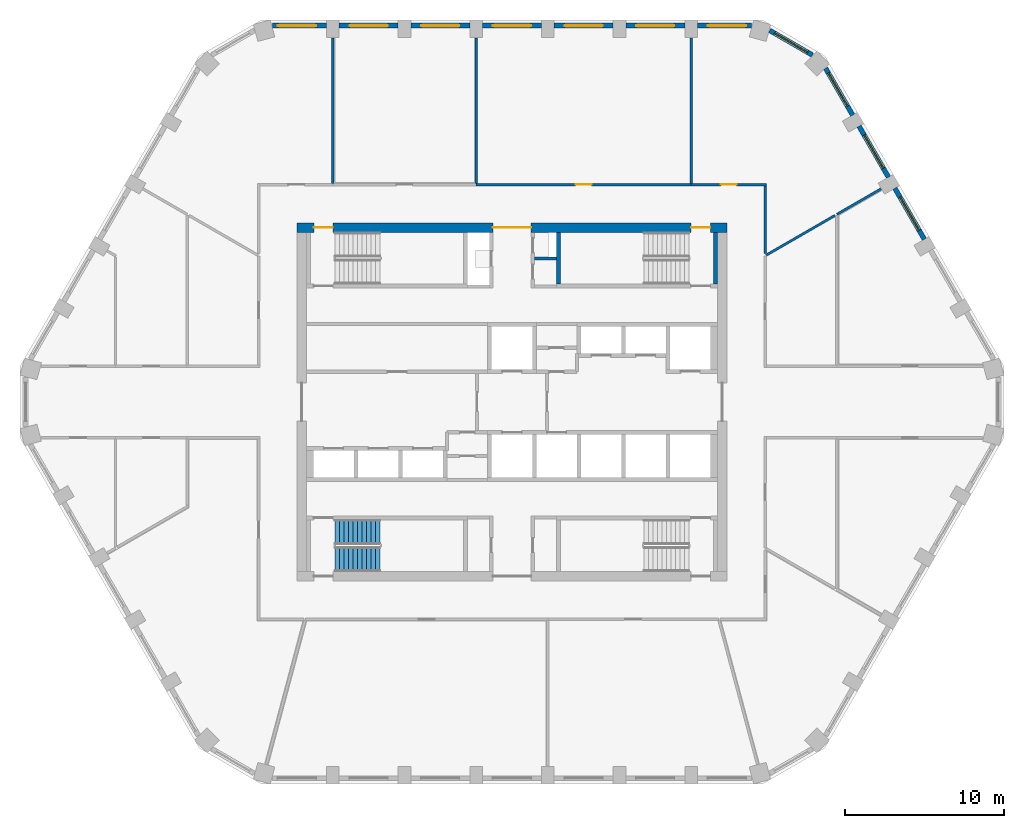
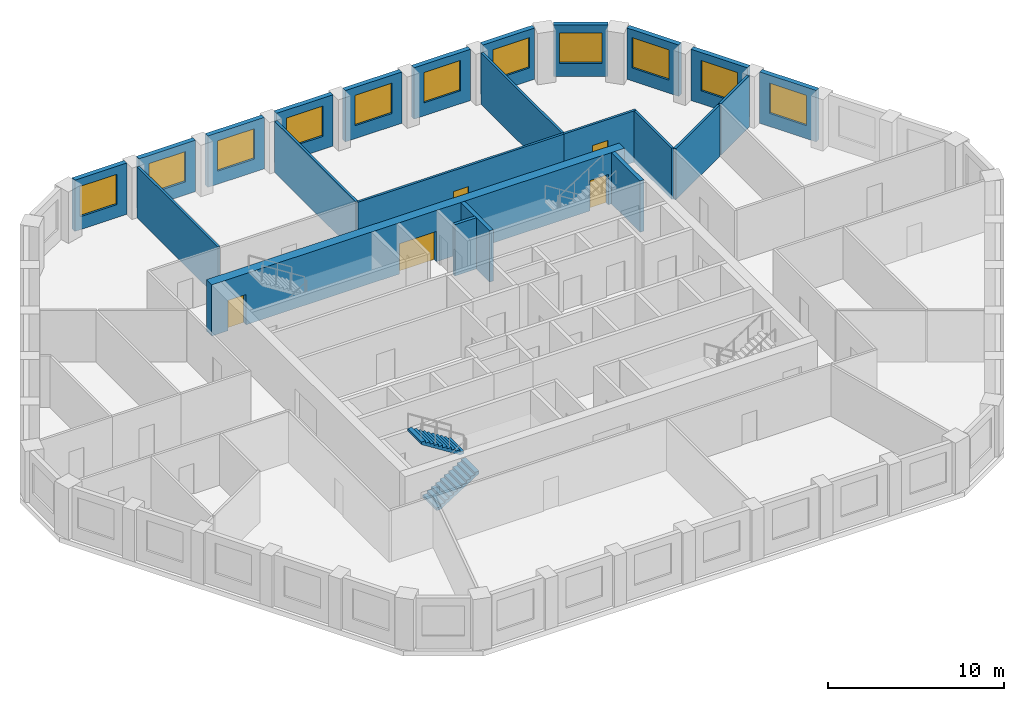
# One storey, part 6 of 11: 23 walls, 11 windows, 5 doors, 2 stair flights, 16 openings, 1 element without a shape of its own.
"""IFC4 building model written with IfcOpenShell, lengths in metres."""

from ifc_helpers import new_model, si_unit, direction, frame, frame_2d, origin, place, context, subcontext, project, spatial, polyline, rectangle, outline, extrude, material, layer, layer_set, type_object, element, fill, aggregate, save


model = new_model("IFC4")

# Units and contexts
model_context = context("Model", 3, precision=1e-05, world=origin(), true_north=direction((0.0, 1.0)))
body_context = subcontext(model_context, "Body", "Model", "MODEL_VIEW")
ifc_project = project(units=[si_unit("LENGTHUNIT", "METRE"), si_unit("AREAUNIT", "SQUARE_METRE"), si_unit("VOLUMEUNIT", "CUBIC_METRE"), si_unit("PLANEANGLEUNIT", "RADIAN"), si_unit("MASSUNIT", "GRAM", prefix="KILO")], contexts=[model_context])

# Site, building, storey
site_placement = place(None, origin())
site = spatial("IfcSite", under=ifc_project, at=site_placement, CompositionType="ELEMENT")
building_placement = place(site_placement, origin())
building = spatial("IfcBuilding", under=site, at=building_placement, Name="Dhurran Vertical Campus", CompositionType="ELEMENT")
storey_placement = place(building_placement, frame((0.0, 0.0, 215.10009765625)))
storey = spatial("IfcBuildingStorey", under=building, at=storey_placement, Name="L53", CompositionType="ELEMENT", Elevation=215.10009765625)

# Wall, opening, window
ifc_material_1 = material(Name="Precast concrete C50/60", Category="concrete")
ifc_layer_1 = layer(ifc_material_1, 0.300048828125)
ifc_layer_set_1 = layer_set([ifc_layer_1], Name="Precast concrete C50/60")
wall_type_1 = type_object("IfcWallType", Name="Precast spandrel wall 300", PredefinedType="SOLIDWALL", material=ifc_layer_set_1)
wall_1_placement = place(storey_placement, frame((25.893798828125, 10.216064453125, 0.0), z_axis=(0.0, 0.0, 1.0), x_axis=(-0.500029062817, 0.866008623709, 0.0)))
wall_1 = element("IfcWall", 1, at=wall_1_placement, inside=storey, type_object=wall_type_1, Name="EW1 L53.16", PredefinedType="SOLIDWALL", context=body_context, shape_type="SweptSolid", body=[
    extrude(rectangle(XDim=3.698974609375, YDim=0.300048828125, at=frame_2d((1.849609375, 0.0))), origin(), (0.0, 0.0, 1.0), 3.5498046875),
])
opening_1_placement = place(wall_1_placement, frame((0.6494140625, 0.0, 0.89990234375)))
opening_1 = element("IfcOpeningElement", 2, at=opening_1_placement, cuts=wall_1, Name="Opening WT1", PredefinedType="OPENING", context=body_context, shape_type="SweptSolid", body=[
    extrude(rectangle(XDim=2.39990234375, YDim=2.10009765625, at=frame_2d((1.199951171875, 1.050048828125))), frame((0.0, 0.159912109375, 0.0), z_axis=(0.0, -1.0, 0.0), x_axis=(1.0, 0.0, 0.0)), (0.0, 0.0, 1.0), 0.320068359375),
])
ifc_material_2 = material(Name="Aluminium frame with solar-control glass", Category="aluminium")
window_type = type_object("IfcWindowType", Name="Punched window 2400 x 2100", PartitioningType="SINGLE_PANEL", PredefinedType="WINDOW", material=ifc_material_2)
window_1_placement = place(opening_1_placement, origin())
window_1 = element("IfcWindow", 3, at=window_1_placement, inside=storey, type_object=window_type, Name="WT1 L53.16", OverallHeight=2.10009765625, OverallWidth=2.39990234375, PartitioningType="SINGLE_PANEL", PredefinedType="WINDOW", context=body_context, shape_type="SweptSolid", body=[
    extrude(rectangle(XDim=2.39990234375, YDim=2.10009765625, at=frame_2d((1.199951171875, 1.050048828125))), frame((0.0, 0.030029296875, 0.0), z_axis=(0.0, -1.0, 0.0), x_axis=(1.0, 0.0, 0.0)), (0.0, 0.0, 1.0), 0.06005859375),
])
fill(opening_1, window_1)

wall_2_placement = place(storey_placement, frame((23.643798828125, 14.11328125, 0.0), z_axis=(0.0, 0.0, 1.0), x_axis=(-0.500029062817, 0.866008623709, 0.0)))
wall_2 = element("IfcWall", 4, at=wall_2_placement, inside=storey, type_object=wall_type_1, Name="EW1 L53.17", PredefinedType="SOLIDWALL", context=body_context, shape_type="SweptSolid", body=[
    extrude(rectangle(XDim=3.698974609375, YDim=0.300048828125, at=frame_2d((1.849609375, 0.0))), origin(), (0.0, 0.0, 1.0), 3.5498046875),
])
opening_2_placement = place(wall_2_placement, frame((0.6494140625, 0.0, 0.89990234375)))
opening_2 = element("IfcOpeningElement", 5, at=opening_2_placement, cuts=wall_2, Name="Opening WT1", PredefinedType="OPENING", context=body_context, shape_type="SweptSolid", body=[
    extrude(rectangle(XDim=2.39990234375, YDim=2.10009765625, at=frame_2d((1.199951171875, 1.050048828125))), frame((0.0, 0.159912109375, 0.0), z_axis=(0.0, -1.0, 0.0), x_axis=(1.0, 0.0, 0.0)), (0.0, 0.0, 1.0), 0.320068359375),
])
window_2_placement = place(opening_2_placement, origin())
window_2 = element("IfcWindow", 6, at=window_2_placement, inside=storey, type_object=window_type, Name="WT1 L53.17", OverallHeight=2.10009765625, OverallWidth=2.39990234375, PartitioningType="SINGLE_PANEL", PredefinedType="WINDOW", context=body_context, shape_type="SweptSolid", body=[
    extrude(rectangle(XDim=2.39990234375, YDim=2.10009765625, at=frame_2d((1.199951171875, 1.050048828125))), frame((0.0, 0.030029296875, 0.0), z_axis=(0.0, -1.0, 0.0), x_axis=(1.0, 0.0, 0.0)), (0.0, 0.0, 1.0), 0.06005859375),
])
fill(opening_2, window_2)

wall_3_placement = place(storey_placement, frame((21.393798828125, 18.01025390625, 0.0), z_axis=(0.0, 0.0, 1.0), x_axis=(-0.500012868213, 0.866017974191, 0.0)))
wall_3 = element("IfcWall", 7, at=wall_3_placement, inside=storey, type_object=wall_type_1, Name="EW1 L53.18", PredefinedType="SOLIDWALL", context=body_context, shape_type="SweptSolid", body=[
    extrude(rectangle(XDim=3.39599609375, YDim=0.300048828125, at=frame_2d((1.697998046875, 0.0))), origin(), (0.0, 0.0, 1.0), 3.5498046875),
])
opening_3_placement = place(wall_3_placement, frame((0.6494140625, 0.0, 0.89990234375)))
opening_3 = element("IfcOpeningElement", 8, at=opening_3_placement, cuts=wall_3, Name="Opening WT1", PredefinedType="OPENING", context=body_context, shape_type="SweptSolid", body=[
    extrude(rectangle(XDim=2.39990234375, YDim=2.10009765625, at=frame_2d((1.199951171875, 1.050048828125))), frame((0.0, 0.159912109375, 0.0), z_axis=(0.0, -1.0, 0.0), x_axis=(1.0, 0.0, 0.0)), (0.0, 0.0, 1.0), 0.320068359375),
])
window_3_placement = place(opening_3_placement, origin())
window_3 = element("IfcWindow", 9, at=window_3_placement, inside=storey, type_object=window_type, Name="WT1 L53.18", OverallHeight=2.10009765625, OverallWidth=2.39990234375, PartitioningType="SINGLE_PANEL", PredefinedType="WINDOW", context=body_context, shape_type="SweptSolid", body=[
    extrude(rectangle(XDim=2.39990234375, YDim=2.10009765625, at=frame_2d((1.199951171875, 1.050048828125))), frame((0.0, 0.030029296875, 0.0), z_axis=(0.0, -1.0, 0.0), x_axis=(1.0, 0.0, 0.0)), (0.0, 0.0, 1.0), 0.06005859375),
])
fill(opening_3, window_3)

wall_4_placement = place(storey_placement, frame((18.86279296875, 21.7841796875, 0.0), z_axis=(0.0, 0.0, 1.0), x_axis=(-0.865994975416, 0.500052699777, 0.0)))
wall_4 = element("IfcWall", 10, at=wall_4_placement, inside=storey, type_object=wall_type_1, Name="EW1 L53.19", PredefinedType="SOLIDWALL", context=body_context, shape_type="SweptSolid", body=[
    extrude(rectangle(XDim=3.093017578125, YDim=0.300048828125, at=frame_2d((1.54638671875, 0.0))), origin(), (0.0, 0.0, 1.0), 3.5498046875),
])
opening_4_placement = place(wall_4_placement, frame((0.34619140625, 0.0, 0.89990234375)))
opening_4 = element("IfcOpeningElement", 11, at=opening_4_placement, cuts=wall_4, Name="Opening WT1", PredefinedType="OPENING", context=body_context, shape_type="SweptSolid", body=[
    extrude(rectangle(XDim=2.39990234375, YDim=2.10009765625, at=frame_2d((1.199951171875, 1.050048828125))), frame((0.0, 0.159912109375, 0.0), z_axis=(0.0, -1.0, 0.0), x_axis=(1.0, 0.0, 0.0)), (0.0, 0.0, 1.0), 0.320068359375),
])
window_4_placement = place(opening_4_placement, origin())
window_4 = element("IfcWindow", 12, at=window_4_placement, inside=storey, type_object=window_type, Name="WT1 L53.19", OverallHeight=2.10009765625, OverallWidth=2.39990234375, PartitioningType="SINGLE_PANEL", PredefinedType="WINDOW", context=body_context, shape_type="SweptSolid", body=[
    extrude(rectangle(XDim=2.39990234375, YDim=2.10009765625, at=frame_2d((1.199951171875, 1.050048828125))), frame((0.0, 0.030029296875, 0.0), z_axis=(0.0, -1.0, 0.0), x_axis=(1.0, 0.0, 0.0)), (0.0, 0.0, 1.0), 0.06005859375),
])
fill(opening_4, window_4)

wall_5_placement = place(storey_placement, frame((15.04638671875, 23.635498046875, 0.0), z_axis=(0.0, 0.0, 1.0), x_axis=(-1.0, 0.0, 0.0)))
wall_5 = element("IfcWall", 13, at=wall_5_placement, inside=storey, type_object=wall_type_1, Name="EW1 L53.20", PredefinedType="SOLIDWALL", context=body_context, shape_type="SweptSolid", body=[
    extrude(rectangle(XDim=3.39599609375, YDim=0.300048828125, at=frame_2d((1.697998046875, 0.0))), origin(), (0.0, 0.0, 1.0), 3.5498046875),
])
opening_5_placement = place(wall_5_placement, frame((0.34619140625, 0.0, 0.89990234375)))
opening_5 = element("IfcOpeningElement", 14, at=opening_5_placement, cuts=wall_5, Name="Opening WT1", PredefinedType="OPENING", context=body_context, shape_type="SweptSolid", body=[
    extrude(rectangle(XDim=2.39990234375, YDim=2.10009765625, at=frame_2d((1.199951171875, 1.050048828125))), frame((0.0, 0.159912109375, 0.0), z_axis=(0.0, -1.0, 0.0), x_axis=(1.0, 0.0, 0.0)), (0.0, 0.0, 1.0), 0.320068359375),
])
window_5_placement = place(opening_5_placement, origin())
window_5 = element("IfcWindow", 15, at=window_5_placement, inside=storey, type_object=window_type, Name="WT1 L53.20", OverallHeight=2.10009765625, OverallWidth=2.39990234375, PartitioningType="SINGLE_PANEL", PredefinedType="WINDOW", context=body_context, shape_type="SweptSolid", body=[
    extrude(rectangle(XDim=2.39990234375, YDim=2.10009765625, at=frame_2d((1.199951171875, 1.050048828125))), frame((0.0, 0.030029296875, 0.0), z_axis=(0.0, -1.0, 0.0), x_axis=(1.0, 0.0, 0.0)), (0.0, 0.0, 1.0), 0.06005859375),
])
fill(opening_5, window_5)

wall_6_placement = place(storey_placement, frame((10.849609375, 23.635498046875, 0.0), z_axis=(0.0, 0.0, 1.0), x_axis=(-1.0, 0.0, 0.0)))
wall_6 = element("IfcWall", 16, at=wall_6_placement, inside=storey, type_object=wall_type_1, Name="EW1 L53.21", PredefinedType="SOLIDWALL", context=body_context, shape_type="SweptSolid", body=[
    extrude(rectangle(XDim=3.69921875, YDim=0.300048828125, at=frame_2d((1.849609375, 0.0))), origin(), (0.0, 0.0, 1.0), 3.5498046875),
])
opening_6_placement = place(wall_6_placement, frame((0.6494140625, 0.0, 0.89990234375)))
opening_6 = element("IfcOpeningElement", 17, at=opening_6_placement, cuts=wall_6, Name="Opening WT1", PredefinedType="OPENING", context=body_context, shape_type="SweptSolid", body=[
    extrude(rectangle(XDim=2.39990234375, YDim=2.10009765625, at=frame_2d((1.199951171875, 1.050048828125))), frame((0.0, 0.159912109375, 0.0), z_axis=(0.0, -1.0, 0.0), x_axis=(1.0, 0.0, 0.0)), (0.0, 0.0, 1.0), 0.320068359375),
])
window_6_placement = place(opening_6_placement, origin())
window_6 = element("IfcWindow", 18, at=window_6_placement, inside=storey, type_object=window_type, Name="WT1 L53.21", OverallHeight=2.10009765625, OverallWidth=2.39990234375, PartitioningType="SINGLE_PANEL", PredefinedType="WINDOW", context=body_context, shape_type="SweptSolid", body=[
    extrude(rectangle(XDim=2.39990234375, YDim=2.10009765625, at=frame_2d((1.199951171875, 1.050048828125))), frame((0.0, 0.030029296875, 0.0), z_axis=(0.0, -1.0, 0.0), x_axis=(1.0, 0.0, 0.0)), (0.0, 0.0, 1.0), 0.06005859375),
])
fill(opening_6, window_6)

wall_7_placement = place(storey_placement, frame((6.349609375, 23.635498046875, 0.0), z_axis=(0.0, 0.0, 1.0), x_axis=(-1.0, 0.0, 0.0)))
wall_7 = element("IfcWall", 19, at=wall_7_placement, inside=storey, type_object=wall_type_1, Name="EW1 L53.22", PredefinedType="SOLIDWALL", context=body_context, shape_type="SweptSolid", body=[
    extrude(rectangle(XDim=3.69921875, YDim=0.300048828125, at=frame_2d((1.849609375, 0.0))), origin(), (0.0, 0.0, 1.0), 3.5498046875),
])
opening_7_placement = place(wall_7_placement, frame((0.6494140625, 0.0, 0.89990234375)))
opening_7 = element("IfcOpeningElement", 20, at=opening_7_placement, cuts=wall_7, Name="Opening WT1", PredefinedType="OPENING", context=body_context, shape_type="SweptSolid", body=[
    extrude(rectangle(XDim=2.39990234375, YDim=2.10009765625, at=frame_2d((1.199951171875, 1.050048828125))), frame((0.0, 0.159912109375, 0.0), z_axis=(0.0, -1.0, 0.0), x_axis=(1.0, 0.0, 0.0)), (0.0, 0.0, 1.0), 0.320068359375),
])
window_7_placement = place(opening_7_placement, origin())
window_7 = element("IfcWindow", 21, at=window_7_placement, inside=storey, type_object=window_type, Name="WT1 L53.22", OverallHeight=2.10009765625, OverallWidth=2.39990234375, PartitioningType="SINGLE_PANEL", PredefinedType="WINDOW", context=body_context, shape_type="SweptSolid", body=[
    extrude(rectangle(XDim=2.39990234375, YDim=2.10009765625, at=frame_2d((1.199951171875, 1.050048828125))), frame((0.0, 0.030029296875, 0.0), z_axis=(0.0, -1.0, 0.0), x_axis=(1.0, 0.0, 0.0)), (0.0, 0.0, 1.0), 0.06005859375),
])
fill(opening_7, window_7)

wall_8_placement = place(storey_placement, frame((1.849609375, 23.635498046875, 0.0), z_axis=(0.0, 0.0, 1.0), x_axis=(-1.0, 0.0, 0.0)))
wall_8 = element("IfcWall", 22, at=wall_8_placement, inside=storey, type_object=wall_type_1, Name="EW1 L53.23", PredefinedType="SOLIDWALL", context=body_context, shape_type="SweptSolid", body=[
    extrude(rectangle(XDim=3.69921875, YDim=0.300048828125, at=frame_2d((1.849609375, 0.0))), origin(), (0.0, 0.0, 1.0), 3.5498046875),
])
opening_8_placement = place(wall_8_placement, frame((0.6494140625, 0.0, 0.89990234375)))
opening_8 = element("IfcOpeningElement", 23, at=opening_8_placement, cuts=wall_8, Name="Opening WT1", PredefinedType="OPENING", context=body_context, shape_type="SweptSolid", body=[
    extrude(rectangle(XDim=2.39990234375, YDim=2.10009765625, at=frame_2d((1.199951171875, 1.050048828125))), frame((0.0, 0.159912109375, 0.0), z_axis=(0.0, -1.0, 0.0), x_axis=(1.0, 0.0, 0.0)), (0.0, 0.0, 1.0), 0.320068359375),
])
window_8_placement = place(opening_8_placement, origin())
window_8 = element("IfcWindow", 24, at=window_8_placement, inside=storey, type_object=window_type, Name="WT1 L53.23", OverallHeight=2.10009765625, OverallWidth=2.39990234375, PartitioningType="SINGLE_PANEL", PredefinedType="WINDOW", context=body_context, shape_type="SweptSolid", body=[
    extrude(rectangle(XDim=2.39990234375, YDim=2.10009765625, at=frame_2d((1.199951171875, 1.050048828125))), frame((0.0, 0.030029296875, 0.0), z_axis=(0.0, -1.0, 0.0), x_axis=(1.0, 0.0, 0.0)), (0.0, 0.0, 1.0), 0.06005859375),
])
fill(opening_8, window_8)

wall_9_placement = place(storey_placement, frame((-2.650390625, 23.635498046875, 0.0), z_axis=(0.0, 0.0, 1.0), x_axis=(-1.0, 0.0, 0.0)))
wall_9 = element("IfcWall", 25, at=wall_9_placement, inside=storey, type_object=wall_type_1, Name="EW1 L53.24", PredefinedType="SOLIDWALL", context=body_context, shape_type="SweptSolid", body=[
    extrude(rectangle(XDim=3.69921875, YDim=0.300048828125, at=frame_2d((1.849609375, 0.0))), origin(), (0.0, 0.0, 1.0), 3.5498046875),
])
opening_9_placement = place(wall_9_placement, frame((0.6494140625, 0.0, 0.89990234375)))
opening_9 = element("IfcOpeningElement", 26, at=opening_9_placement, cuts=wall_9, Name="Opening WT1", PredefinedType="OPENING", context=body_context, shape_type="SweptSolid", body=[
    extrude(rectangle(XDim=2.39990234375, YDim=2.10009765625, at=frame_2d((1.199951171875, 1.050048828125))), frame((0.0, 0.159912109375, 0.0), z_axis=(0.0, -1.0, 0.0), x_axis=(1.0, 0.0, 0.0)), (0.0, 0.0, 1.0), 0.320068359375),
])
window_9_placement = place(opening_9_placement, origin())
window_9 = element("IfcWindow", 27, at=window_9_placement, inside=storey, type_object=window_type, Name="WT1 L53.24", OverallHeight=2.10009765625, OverallWidth=2.39990234375, PartitioningType="SINGLE_PANEL", PredefinedType="WINDOW", context=body_context, shape_type="SweptSolid", body=[
    extrude(rectangle(XDim=2.39990234375, YDim=2.10009765625, at=frame_2d((1.199951171875, 1.050048828125))), frame((0.0, 0.030029296875, 0.0), z_axis=(0.0, -1.0, 0.0), x_axis=(1.0, 0.0, 0.0)), (0.0, 0.0, 1.0), 0.06005859375),
])
fill(opening_9, window_9)

wall_10_placement = place(storey_placement, frame((-7.150390625, 23.635498046875, 0.0), z_axis=(0.0, 0.0, 1.0), x_axis=(-1.0, 0.0, 0.0)))
wall_10 = element("IfcWall", 28, at=wall_10_placement, inside=storey, type_object=wall_type_1, Name="EW1 L53.25", PredefinedType="SOLIDWALL", context=body_context, shape_type="SweptSolid", body=[
    extrude(rectangle(XDim=3.69921875, YDim=0.300048828125, at=frame_2d((1.849609375, 0.0))), origin(), (0.0, 0.0, 1.0), 3.5498046875),
])
opening_10_placement = place(wall_10_placement, frame((0.6494140625, 0.0, 0.89990234375)))
opening_10 = element("IfcOpeningElement", 29, at=opening_10_placement, cuts=wall_10, Name="Opening WT1", PredefinedType="OPENING", context=body_context, shape_type="SweptSolid", body=[
    extrude(rectangle(XDim=2.39990234375, YDim=2.10009765625, at=frame_2d((1.199951171875, 1.050048828125))), frame((0.0, 0.159912109375, 0.0), z_axis=(0.0, -1.0, 0.0), x_axis=(1.0, 0.0, 0.0)), (0.0, 0.0, 1.0), 0.320068359375),
])
window_10_placement = place(opening_10_placement, origin())
window_10 = element("IfcWindow", 30, at=window_10_placement, inside=storey, type_object=window_type, Name="WT1 L53.25", OverallHeight=2.10009765625, OverallWidth=2.39990234375, PartitioningType="SINGLE_PANEL", PredefinedType="WINDOW", context=body_context, shape_type="SweptSolid", body=[
    extrude(rectangle(XDim=2.39990234375, YDim=2.10009765625, at=frame_2d((1.199951171875, 1.050048828125))), frame((0.0, 0.030029296875, 0.0), z_axis=(0.0, -1.0, 0.0), x_axis=(1.0, 0.0, 0.0)), (0.0, 0.0, 1.0), 0.06005859375),
])
fill(opening_10, window_10)

wall_11_placement = place(storey_placement, frame((-11.650390625, 23.635498046875, 0.0), z_axis=(0.0, 0.0, 1.0), x_axis=(-1.0, 0.0, 0.0)))
wall_11 = element("IfcWall", 31, at=wall_11_placement, inside=storey, type_object=wall_type_1, Name="EW1 L53.26", PredefinedType="SOLIDWALL", context=body_context, shape_type="SweptSolid", body=[
    extrude(rectangle(XDim=3.39599609375, YDim=0.300048828125, at=frame_2d((1.697998046875, 0.0))), origin(), (0.0, 0.0, 1.0), 3.5498046875),
])
opening_11_placement = place(wall_11_placement, frame((0.6494140625, 0.0, 0.89990234375)))
opening_11 = element("IfcOpeningElement", 32, at=opening_11_placement, cuts=wall_11, Name="Opening WT1", PredefinedType="OPENING", context=body_context, shape_type="SweptSolid", body=[
    extrude(rectangle(XDim=2.39990234375, YDim=2.10009765625, at=frame_2d((1.199951171875, 1.050048828125))), frame((0.0, 0.159912109375, 0.0), z_axis=(0.0, -1.0, 0.0), x_axis=(1.0, 0.0, 0.0)), (0.0, 0.0, 1.0), 0.320068359375),
])
window_11_placement = place(opening_11_placement, origin())
window_11 = element("IfcWindow", 33, at=window_11_placement, inside=storey, type_object=window_type, Name="WT1 L53.26", OverallHeight=2.10009765625, OverallWidth=2.39990234375, PartitioningType="SINGLE_PANEL", PredefinedType="WINDOW", context=body_context, shape_type="SweptSolid", body=[
    extrude(rectangle(XDim=2.39990234375, YDim=2.10009765625, at=frame_2d((1.199951171875, 1.050048828125))), frame((0.0, 0.030029296875, 0.0), z_axis=(0.0, -1.0, 0.0), x_axis=(1.0, 0.0, 0.0)), (0.0, 0.0, 1.0), 0.06005859375),
])
fill(opening_11, window_11)

# Wall, openings, doors
ifc_material_3 = material(Name="Concrete C50/60", Category="concrete")
ifc_layer_2 = layer(ifc_material_3, 0.60009765625)
ifc_layer_set_2 = layer_set([ifc_layer_2], Name="Concrete C50/60")
wall_type_2 = type_object("IfcWallType", Name="co-CORE-WALL-C2-600", PredefinedType="SHEAR", material=ifc_layer_set_2)
wall_12_placement = place(storey_placement, frame((-13.5, 10.949951171875, 0.0), z_axis=(0.0, 0.0, 1.0), x_axis=(1.0, 0.0, 0.0)))
wall_12 = element("IfcWall", 34, at=wall_12_placement, inside=storey, type_object=wall_type_2, Name="Core wall N L53", PredefinedType="SHEAR", context=body_context, shape_type="SweptSolid", body=[
    extrude(rectangle(XDim=27.0, YDim=0.60009765625, at=frame_2d((13.5, 0.0))), origin(), (0.0, 0.0, 1.0), 3.5498046875),
])
opening_12_placement = place(wall_12_placement, frame((12.300048828125, 0.0, 0.0)))
opening_12 = element("IfcOpeningElement", 35, at=opening_12_placement, cuts=wall_12, Name="Opening CV1", PredefinedType="OPENING", context=body_context, shape_type="SweptSolid", body=[
    extrude(rectangle(XDim=2.39990234375, YDim=2.10009765625, at=frame_2d((1.199951171875, 1.050048828125))), frame((0.0, 0.31005859375, 0.0), z_axis=(0.0, -1.0, 0.0), x_axis=(1.0, 0.0, 0.0)), (0.0, 0.0, 1.0), 0.6201171875),
])
opening_13_placement = place(wall_12_placement, frame((1.050048828125, 0.0, 0.0)))
opening_13 = element("IfcOpeningElement", 36, at=opening_13_placement, cuts=wall_12, Name="Opening XD1", PredefinedType="OPENING", context=body_context, shape_type="SweptSolid", body=[
    extrude(rectangle(XDim=1.199951171875, YDim=2.10009765625, at=frame_2d((0.60009765625, 1.050048828125))), frame((0.0, 0.31005859375, 0.0), z_axis=(0.0, -1.0, 0.0), x_axis=(1.0, 0.0, 0.0)), (0.0, 0.0, 1.0), 0.6201171875),
])
opening_14_placement = place(wall_12_placement, frame((24.75, 0.0, 0.0)))
opening_14 = element("IfcOpeningElement", 37, at=opening_14_placement, cuts=wall_12, Name="Opening XD2", PredefinedType="OPENING", context=body_context, shape_type="SweptSolid", body=[
    extrude(rectangle(XDim=1.199951171875, YDim=2.10009765625, at=frame_2d((0.60009765625, 1.050048828125))), frame((0.0, 0.31005859375, 0.0), z_axis=(0.0, -1.0, 0.0), x_axis=(1.0, 0.0, 0.0)), (0.0, 0.0, 1.0), 0.6201171875),
])
ifc_material_4 = material(Name="Fire-rated glazed door set")
door_type_1 = type_object("IfcDoorType", Name="co-D-LOBBY 2400x2100", OperationType="DOUBLE_DOOR_DOUBLE_SWING", PredefinedType="DOOR", material=ifc_material_4)
door_1_placement = place(opening_12_placement, origin())
door_1 = element("IfcDoor", 38, at=door_1_placement, inside=storey, type_object=door_type_1, Name="Core vestibule door N L53", OperationType="DOUBLE_DOOR_DOUBLE_SWING", OverallHeight=2.10009765625, OverallWidth=2.39990234375, PredefinedType="DOOR", context=body_context, shape_type="SweptSolid", body=[
    extrude(rectangle(XDim=2.39990234375, YDim=2.10009765625, at=frame_2d((1.199951171875, 1.050048828125))), frame((0.0, 0.02490234375, 0.0), z_axis=(0.0, -1.0, 0.0), x_axis=(1.0, 0.0, 0.0)), (0.0, 0.0, 1.0), 0.050048828125),
])
fill(opening_12, door_1)
ifc_material_5 = material(Name="Fire-rated steel door set", Category="steel")
door_type_2 = type_object("IfcDoorType", Name="co-D-STAIR-EXIT 1200x2100", OperationType="SINGLE_SWING_RIGHT", PredefinedType="DOOR", material=ifc_material_5)
door_2_placement = place(opening_13_placement, origin())
door_2 = element("IfcDoor", 39, at=door_2_placement, inside=storey, type_object=door_type_2, Name="Stair ST1 exit door L53", OperationType="SINGLE_SWING_RIGHT", OverallHeight=2.10009765625, OverallWidth=1.199951171875, PredefinedType="DOOR", context=body_context, shape_type="SweptSolid", body=[
    extrude(rectangle(XDim=1.199951171875, YDim=2.10009765625, at=frame_2d((0.60009765625, 1.050048828125))), frame((0.0, 0.02490234375, 0.0), z_axis=(0.0, -1.0, 0.0), x_axis=(1.0, 0.0, 0.0)), (0.0, 0.0, 1.0), 0.050048828125),
])
fill(opening_13, door_2)
door_3_placement = place(opening_14_placement, origin())
door_3 = element("IfcDoor", 40, at=door_3_placement, inside=storey, type_object=door_type_2, Name="Stair ST2 exit door L53", OperationType="SINGLE_SWING_RIGHT", OverallHeight=2.10009765625, OverallWidth=1.199951171875, PredefinedType="DOOR", context=body_context, shape_type="SweptSolid", body=[
    extrude(rectangle(XDim=1.199951171875, YDim=2.10009765625, at=frame_2d((0.60009765625, 1.050048828125))), frame((0.0, 0.02490234375, 0.0), z_axis=(0.0, -1.0, 0.0), x_axis=(1.0, 0.0, 0.0)), (0.0, 0.0, 1.0), 0.050048828125),
])
fill(opening_14, door_3)

# Walls
ifc_material_6 = material(Name="Fire-rated masonry blockwork", Category="masonry")
ifc_layer_3 = layer(ifc_material_6, 0.199951171875)
ifc_layer_set_3 = layer_set([ifc_layer_3], Name="Fire-rated masonry blockwork")
wall_type_3 = type_object("IfcWallType", Name="co-FIRE-PARTITION-200", PredefinedType="PARTITIONING", material=ifc_layer_set_3)
wall_13_placement = place(storey_placement, frame((1.39990234375, 9.0, 0.0), z_axis=(0.0, 0.0, 1.0), x_axis=(1.0, 0.0, 0.0)))
element("IfcWall", 41, at=wall_13_placement, inside=storey, type_object=wall_type_3, Name="Core partition sl-NE-cut0 L53", PredefinedType="PARTITIONING", context=body_context, shape_type="SweptSolid", body=[
    extrude(rectangle(XDim=1.400146484375, YDim=0.199951171875, at=frame_2d((0.7001953125, 0.0))), origin(), (0.0, 0.0, 1.0), 3.5498046875),
])
ifc_material_7 = material(Name="Concrete C40/50", Category="concrete")
ifc_layer_4 = layer(ifc_material_7, 0.25)
ifc_layer_set_4 = layer_set([ifc_layer_4], Name="Concrete C40/50")
wall_type_4 = type_object("IfcWallType", Name="co-STAIR-WALL-250", PredefinedType="SHEAR", material=ifc_layer_set_4)
for number, where, z_axis, x_axis, name in (
    (42, (2.925048828125, 7.39990234375, 0.0), (0.0, 0.0, 1.0), (0.0, 1.0, 0.0), "Stair ST2 enclosure wall L53"),
    (43, (12.77490234375, 7.39990234375, 0.0), (0.0, 0.0, 1.0), (0.0, 1.0, 0.0), "Stair ST2 enclosure wall L53"),
):
    element("IfcWall", number, at=place(storey_placement, frame(where, z_axis=z_axis, x_axis=x_axis)), inside=storey, type_object=wall_type_4, Name=name, PredefinedType="SHEAR", context=body_context, shape_type="SweptSolid", body=[
        extrude(rectangle(XDim=3.25, YDim=0.25, at=frame_2d((1.625, 0.0))), origin(), (0.0, 0.0, 1.0), 3.5498046875),
    ])

# Wall, opening, door
ifc_material_8 = material(Name="Gypsum board corridor wall on steel studs", Category="steel")
ifc_layer_5 = layer(ifc_material_8, 0.14990234375)
ifc_layer_set_5 = layer_set([ifc_layer_5], Name="Gypsum board corridor wall on steel studs")
wall_type_5 = type_object("IfcWallType", Name="fl-CW-150 corridor wall", PredefinedType="PARTITIONING", material=ifc_layer_set_5)
wall_14_placement = place(storey_placement, frame((11.25, 13.64990234375, 0.0), z_axis=(0.0, 0.0, 1.0), x_axis=(-1.0, 0.0, 0.0)))
wall_14 = element("IfcWall", 44, at=wall_14_placement, inside=storey, type_object=wall_type_5, Name="Partition 53-26", PredefinedType="PARTITIONING", context=body_context, shape_type="SweptSolid", body=[
    extrude(rectangle(XDim=13.5, YDim=0.14990234375, at=frame_2d((6.75, 0.0))), origin(), (0.0, 0.0, 1.0), 3.5498046875),
])
opening_15_placement = place(wall_14_placement, frame((6.25, 0.0, 0.0)))
opening_15 = element("IfcOpeningElement", 45, at=opening_15_placement, cuts=wall_14, Name="Opening T15.10", PredefinedType="OPENING", context=body_context, shape_type="SweptSolid", body=[
    extrude(rectangle(XDim=1.0, YDim=2.10009765625, at=frame_2d((0.5, 1.050048828125))), frame((0.0, 0.0849609375, 0.0), z_axis=(0.0, -1.0, 0.0), x_axis=(1.0, 0.0, 0.0)), (0.0, 0.0, 1.0), 0.169921875),
])
ifc_material_9 = material(Name="Solid-core timber door set, fire-rated", Category="wood")
door_type_3 = type_object("IfcDoorType", Name="fl-D-1000x2100", OperationType="SINGLE_SWING_LEFT", PredefinedType="DOOR", material=ifc_material_9)
door_4_placement = place(opening_15_placement, origin())
door_4 = element("IfcDoor", 46, at=door_4_placement, inside=storey, type_object=door_type_3, Name="Door 53.10", OperationType="SINGLE_SWING_LEFT", OverallHeight=2.10009765625, OverallWidth=1.0, PredefinedType="DOOR", context=body_context, shape_type="SweptSolid", body=[
    extrude(rectangle(XDim=1.0, YDim=2.10009765625, at=frame_2d((0.5, 1.050048828125))), frame((0.0, 0.02490234375, 0.0), z_axis=(0.0, -1.0, 0.0), x_axis=(1.0, 0.0, 0.0)), (0.0, 0.0, 1.0), 0.050048828125),
])
fill(opening_15, door_4)

wall_15_placement = place(storey_placement, frame((15.97509765625, 13.64990234375, 0.0), z_axis=(0.0, 0.0, 1.0), x_axis=(-1.0, 0.0, 0.0)))
wall_15 = element("IfcWall", 47, at=wall_15_placement, inside=storey, type_object=wall_type_5, Name="Partition 53-30", PredefinedType="PARTITIONING", context=body_context, shape_type="SweptSolid", body=[
    extrude(rectangle(XDim=4.72509765625, YDim=0.14990234375, at=frame_2d((2.362548828125, 0.0))), origin(), (0.0, 0.0, 1.0), 3.5498046875),
])
opening_16_placement = place(wall_15_placement, frame((1.862548828125, 0.0, 0.0)))
opening_16 = element("IfcOpeningElement", 48, at=opening_16_placement, cuts=wall_15, Name="Opening T15.12", PredefinedType="OPENING", context=body_context, shape_type="SweptSolid", body=[
    extrude(rectangle(XDim=1.0, YDim=2.10009765625, at=frame_2d((0.5, 1.050048828125))), frame((0.0, 0.0849609375, 0.0), z_axis=(0.0, -1.0, 0.0), x_axis=(1.0, 0.0, 0.0)), (0.0, 0.0, 1.0), 0.169921875),
])
door_5_placement = place(opening_16_placement, origin())
door_5 = element("IfcDoor", 49, at=door_5_placement, inside=storey, type_object=door_type_3, Name="Door 53.12", OperationType="SINGLE_SWING_LEFT", OverallHeight=2.10009765625, OverallWidth=1.0, PredefinedType="DOOR", context=body_context, shape_type="SweptSolid", body=[
    extrude(rectangle(XDim=1.0, YDim=2.10009765625, at=frame_2d((0.5, 1.050048828125))), frame((0.0, 0.02490234375, 0.0), z_axis=(0.0, -1.0, 0.0), x_axis=(1.0, 0.0, 0.0)), (0.0, 0.0, 1.0), 0.050048828125),
])
fill(opening_16, door_5)

# Walls
wall_16_placement = place(storey_placement, frame((15.89990234375, 9.31005859375, 0.0), z_axis=(0.0, 0.0, 1.0), x_axis=(0.0, 1.0, 0.0)))
element("IfcWall", 50, at=wall_16_placement, inside=storey, type_object=wall_type_5, Name="Partition 53-39", PredefinedType="PARTITIONING", context=body_context, shape_type="SweptSolid", body=[
    extrude(rectangle(XDim=4.264892578125, YDim=0.14990234375, at=frame_2d((2.13232421875, 0.0))), origin(), (0.0, 0.0, 1.0), 3.5498046875),
])
ifc_material_10 = material(Name="Gypsum board partition on steel studs", Category="steel")
ifc_layer_6 = layer(ifc_material_10, 0.14990234375)
ifc_layer_set_6 = layer_set([ifc_layer_6], Name="Gypsum board partition on steel studs")
wall_type_6 = type_object("IfcWallType", Name="fl-PW-150 fixed partition", PredefinedType="PARTITIONING", material=ifc_layer_set_6)
for number, where, z_axis, x_axis, name in (
    (51, (-11.25, 22.865478515625, 0.0), (0.0, 0.0, 1.0), (0.0, -1.0, 0.0), "Partition 53-23"),
    (52, (-2.25, 22.865478515625, 0.0), (0.0, 0.0, 1.0), (0.0, -1.0, 0.0), "Partition 53-25"),
    (53, (11.25, 22.865478515625, 0.0), (0.0, 0.0, 1.0), (0.0, -1.0, 0.0), "Partition 53-29"),
):
    element("IfcWall", number, at=place(storey_placement, frame(where, z_axis=z_axis, x_axis=x_axis)), inside=storey, type_object=wall_type_6, Name=name, PredefinedType="PARTITIONING", context=body_context, shape_type="SweptSolid", body=[
        extrude(rectangle(XDim=9.140380859375, YDim=0.14990234375, at=frame_2d((4.5703125, 0.0))), origin(), (0.0, 0.0, 1.0), 3.5498046875),
    ])
wall_17_placement = place(storey_placement, frame((20.287353515625, 11.712890625, 0.0), z_axis=(0.0, 0.0, 1.0), x_axis=(-0.866034070548, -0.499984988425, 0.0)))
element("IfcWall", 54, at=wall_17_placement, inside=storey, type_object=wall_type_6, Name="Partition 53-40", PredefinedType="PARTITIONING", context=body_context, shape_type="SweptSolid", body=[
    extrude(rectangle(XDim=4.990966796875, YDim=0.14990234375, at=frame_2d((2.49560546875, 0.0))), origin(), (0.0, 0.0, 1.0), 3.5498046875),
])
wall_18_placement = place(storey_placement, frame((23.17724609375, 13.381103515625, 0.0), z_axis=(0.0, 0.0, 1.0), x_axis=(-0.866089241828, -0.499889412961, 0.0)))
element("IfcWall", 55, at=wall_18_placement, inside=storey, type_object=wall_type_6, Name="Partition 53-46", PredefinedType="PARTITIONING", context=body_context, shape_type="SweptSolid", body=[
    extrude(rectangle(XDim=3.206787109375, YDim=0.14990234375, at=frame_2d((1.603515625, 0.0))), origin(), (0.0, 0.0, 1.0), 3.5498046875),
])

# Stair, stair flights
ifc_material_11 = material(Name="Concrete C40/50", Category="concrete")
stair_type = type_object("IfcStairType", Name="co-ST-CORE", PredefinedType="HALF_TURN_STAIR", material=ifc_material_11)
stair_placement = place(storey_placement, origin())
stair = element("IfcStair", 56, at=stair_placement, inside=storey, type_object=stair_type, Name="L53 Protected exit stair ST3", PredefinedType="HALF_TURN_STAIR")
ifc_material_12 = material(Name="Concrete C40/50", Category="concrete")
stair_flight_type = type_object("IfcStairFlightType", Name="co-SFL-RC", PredefinedType="STRAIGHT", material=ifc_material_12)
stair_flight_1_placement = place(storey_placement, frame((-11.10009765625, -9.875, 0.0), z_axis=(0.0, 0.0, 1.0), x_axis=(1.0, 0.0, 0.0)))
stair_flight_1 = element("IfcStairFlight", 57, at=stair_flight_1_placement, type_object=stair_flight_type, Name="ST3 flight 1", NumberOfRisers=11, NumberOfTreads=10, PredefinedType="STRAIGHT", RiserHeight=0.177272727, TreadLength=0.28, context=body_context, shape_type="SweptSolid", body=[
    extrude(outline(polyline([(0.0, 0.0), (0.0, 0.17724609375), (0.280029296875, 0.17724609375), (0.280029296875, 0.3544921875), (0.56005859375, 0.3544921875), (0.56005859375, 0.53173828125), (0.840087890625, 0.53173828125), (0.840087890625, 0.708984375), (1.1201171875, 0.708984375), (1.1201171875, 0.886474609375), (1.39990234375, 0.886474609375), (1.39990234375, 1.063720703125), (1.679931640625, 1.063720703125), (1.679931640625, 1.240966796875), (1.9599609375, 1.240966796875), (1.9599609375, 1.418212890625), (2.239990234375, 1.418212890625), (2.239990234375, 1.595458984375), (2.52001953125, 1.595458984375), (2.52001953125, 1.772705078125), (2.800048828125, 1.772705078125), (2.800048828125, 1.949951171875), (2.800048828125, 1.59521484375), (0.2802734375, 0.0), (0.0, 0.0)])), frame((0.0, 0.77490234375, 0.0), z_axis=(0.0, -1.0, 0.0), x_axis=(1.0, 0.0, 0.0)), (0.0, 0.0, 1.0), 1.550048828125),
])
stair_flight_2_placement = place(storey_placement, frame((-8.300048828125, -8.175048828125, 1.949951171875), z_axis=(0.0, 0.0, 1.0), x_axis=(-1.0, 0.0, 0.0)))
stair_flight_2 = element("IfcStairFlight", 58, at=stair_flight_2_placement, type_object=stair_flight_type, Name="ST3 flight 2", NumberOfRisers=11, NumberOfTreads=10, PredefinedType="STRAIGHT", RiserHeight=0.177272727, TreadLength=0.28, context=body_context, shape_type="SweptSolid", body=[
    extrude(outline(polyline([(0.0, 0.0), (0.0, 0.17724609375), (0.280029296875, 0.17724609375), (0.280029296875, 0.3544921875), (0.56005859375, 0.3544921875), (0.56005859375, 0.53173828125), (0.840087890625, 0.53173828125), (0.840087890625, 0.708984375), (1.1201171875, 0.708984375), (1.1201171875, 0.886474609375), (1.39990234375, 0.886474609375), (1.39990234375, 1.063720703125), (1.679931640625, 1.063720703125), (1.679931640625, 1.240966796875), (1.9599609375, 1.240966796875), (1.9599609375, 1.418212890625), (2.239990234375, 1.418212890625), (2.239990234375, 1.595458984375), (2.52001953125, 1.595458984375), (2.52001953125, 1.772705078125), (2.800048828125, 1.772705078125), (2.800048828125, 1.949951171875), (2.800048828125, 1.59521484375), (0.2802734375, 0.0), (0.0, 0.0)])), frame((0.0, 0.77490234375, 0.0), z_axis=(0.0, -1.0, 0.0), x_axis=(1.0, 0.0, 0.0)), (0.0, 0.0, 1.0), 1.550048828125),
])
aggregate(stair, [stair_flight_1, stair_flight_2])

save(model, "model.ifc")
